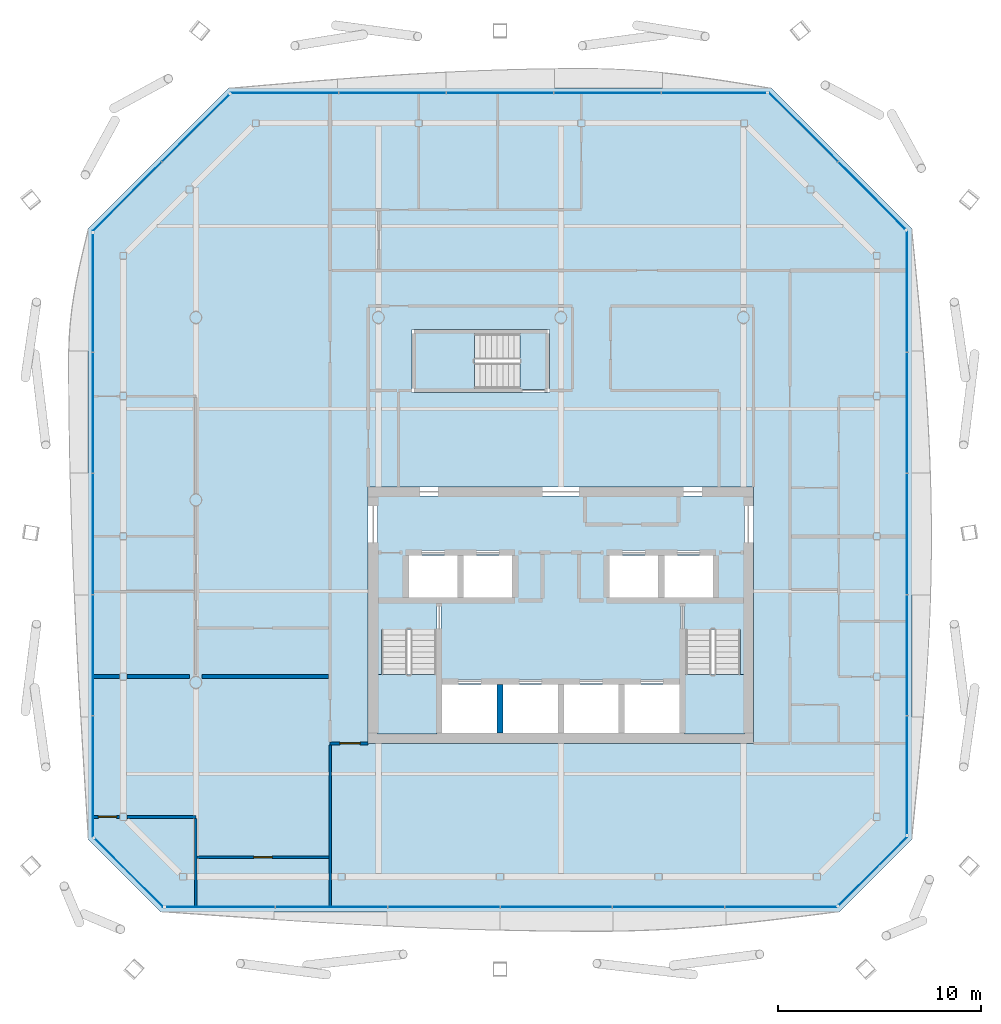
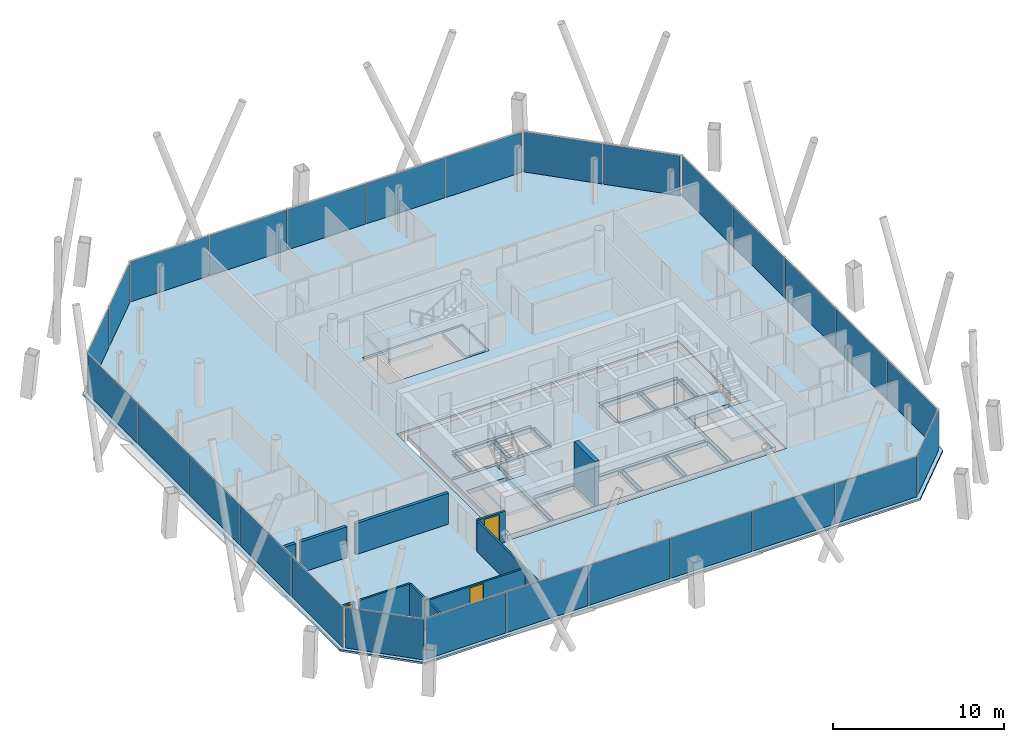
# One storey, part 12 of 19: 27 plates, 10 walls, 6 slabs, 3 doors, 3 openings, 11 elements without a shape of their own.
"""IFC4 building model written with IfcOpenShell, lengths in metres."""

from ifc_helpers import new_model, si_unit, direction, frame, frame_2d, origin, origin_2d, place, context, subcontext, project, spatial, polyline, rectangle, outline, extrude, material, layer, layer_set, type_object, element, fill, aggregate, save


model = new_model("IFC4")

# Units and contexts
model_context = context("Model", 3, precision=1e-05, world=origin(), true_north=direction((0.0, 1.0)))
body_context = subcontext(model_context, "Body", "Model", "MODEL_VIEW")
ifc_project = project(units=[si_unit("LENGTHUNIT", "METRE"), si_unit("AREAUNIT", "SQUARE_METRE"), si_unit("VOLUMEUNIT", "CUBIC_METRE"), si_unit("PLANEANGLEUNIT", "RADIAN"), si_unit("MASSUNIT", "GRAM", prefix="KILO")], contexts=[model_context])

# Site, building, storey
site_placement = place(None, origin())
site = spatial("IfcSite", under=ifc_project, at=site_placement, CompositionType="ELEMENT")
building_placement = place(site_placement, origin())
building = spatial("IfcBuilding", under=site, at=building_placement, Name="Tskaro Facet Tower", CompositionType="ELEMENT")
storey_placement = place(building_placement, frame((0.0, 0.0, 191.10009765625)))
storey = spatial("IfcBuildingStorey", under=building, at=storey_placement, Name="L48", CompositionType="ELEMENT", Elevation=191.10009765625)

# Slab
ifc_material_1 = material(Name="Concrete C30/37", Category="concrete")
ifc_layer_1 = layer(ifc_material_1, 0.139892578125, Name="Concrete C30/37")
ifc_layer_set_1 = layer_set([ifc_layer_1], Name="Concrete C30/37")
slab_type_1 = type_object("IfcSlabType", Name="Composite deck floor slab", PredefinedType="FLOOR", material=ifc_layer_set_1)
slab_1_placement = place(storey_placement, frame((0.0, 0.0, -0.14013671875)))
element("IfcSlab", 1, at=slab_1_placement, inside=storey, type_object=slab_type_1, Name="Floor slab FS3 L48", PredefinedType="FLOOR", context=body_context, shape_type="SweptSolid", body=[
    extrude(outline(polyline([(-19.721923828125, -20.330078125), (13.721923828125, -20.330078125), (17.330078125, -16.721923828125), (17.330078125, 13.3740234375), (10.3740234375, 20.330078125), (-16.3740234375, 20.330078125), (-23.330078125, 13.3740234375), (-23.330078125, -16.721923828125), (-19.721923828125, -20.330078125)]), holes=[polyline([(-9.5, -12.0), (9.5, -12.0), (9.5, 0.64990234375), (-9.5, 0.64990234375), (-9.5, -12.0)]), polyline([(-7.35009765625, 5.300048828125), (-0.550048828125, 5.300048828125), (-0.550048828125, 8.39990234375), (-7.35009765625, 8.39990234375), (-7.35009765625, 5.300048828125)])]), origin(), (0.0, 0.0, 1.0), 0.14013671875),
])

# Curtain wall, plates
ifc_material_2 = material(Name="Bronze anodised aluminium 6063-T6", Category="aluminium")
curtain_wall_type = type_object("IfcCurtainWallType", Name="Bronze residence curtain wall (FW3)", PredefinedType="NOTDEFINED", material=ifc_material_2)
curtain_wall_1_placement = place(storey_placement, origin())
curtain_wall_1 = element("IfcCurtainWall", 2, at=curtain_wall_1_placement, inside=storey, type_object=curtain_wall_type, Name="FW3 south facet L48", PredefinedType="NOTDEFINED")
ifc_material_3 = material(Name="Bronze low-iron glass", Category="glass")
ifc_layer_2 = layer(ifc_material_3, 0.028076171875, Name="Bronze low-iron glass")
ifc_layer_set_2 = layer_set([ifc_layer_2], Name="Bronze low-iron glass")
plate_type = type_object("IfcPlateType", Name="FW3 bronze-tinted unit glazing 28", PredefinedType="CURTAIN_PANEL", material=ifc_layer_set_2)
plate_1_placement = place(storey_placement, frame((-16.790771484375, -20.080078125, 0.0), z_axis=(0.0, 0.0, 1.0), x_axis=(1.0, 0.0, 0.0)))
plate_1 = element("IfcPlate", 3, at=plate_1_placement, type_object=plate_type, Name="FW3 south glazing 1.1", PredefinedType="CURTAIN_PANEL", context=body_context, shape_type="SweptSolid", body=[
    extrude(rectangle(XDim=5.374267578125, YDim=0.028076171875, at=origin_2d()), origin(), (0.0, 0.0, 1.0), 2.860107421875),
])
plate_2_placement = place(storey_placement, frame((-11.30908203125, -20.080078125, 0.0), z_axis=(0.0, 0.0, 1.0), x_axis=(1.0, 0.0, 0.0)))
plate_2 = element("IfcPlate", 4, at=plate_2_placement, type_object=plate_type, Name="FW3 south glazing 2.1", PredefinedType="CURTAIN_PANEL", context=body_context, shape_type="SweptSolid", body=[
    extrude(rectangle(XDim=5.4892578125, YDim=0.028076171875, at=origin_2d()), origin(), (0.0, 0.0, 1.0), 2.860107421875),
])
plate_3_placement = place(storey_placement, frame((-5.769775390625, -20.080078125, 0.0), z_axis=(0.0, 0.0, 1.0), x_axis=(1.0, 0.0, 0.0)))
plate_3 = element("IfcPlate", 5, at=plate_3_placement, type_object=plate_type, Name="FW3 south glazing 3.1", PredefinedType="CURTAIN_PANEL", context=body_context, shape_type="SweptSolid", body=[
    extrude(rectangle(XDim=5.4892578125, YDim=0.028076171875, at=origin_2d()), origin(), (0.0, 0.0, 1.0), 2.860107421875),
])
plate_4_placement = place(storey_placement, frame((-0.230224609375, -20.080078125, 0.0), z_axis=(0.0, 0.0, 1.0), x_axis=(1.0, 0.0, 0.0)))
plate_4 = element("IfcPlate", 6, at=plate_4_placement, type_object=plate_type, Name="FW3 south glazing 4.1", PredefinedType="CURTAIN_PANEL", context=body_context, shape_type="SweptSolid", body=[
    extrude(rectangle(XDim=5.4892578125, YDim=0.028076171875, at=origin_2d()), origin(), (0.0, 0.0, 1.0), 2.860107421875),
])
plate_5_placement = place(storey_placement, frame((5.30908203125, -20.080078125, 0.0), z_axis=(0.0, 0.0, 1.0), x_axis=(1.0, 0.0, 0.0)))
plate_5 = element("IfcPlate", 7, at=plate_5_placement, type_object=plate_type, Name="FW3 south glazing 5.1", PredefinedType="CURTAIN_PANEL", context=body_context, shape_type="SweptSolid", body=[
    extrude(rectangle(XDim=5.4892578125, YDim=0.028076171875, at=origin_2d()), origin(), (0.0, 0.0, 1.0), 2.860107421875),
])
plate_6_placement = place(storey_placement, frame((10.86083984375, -20.080078125, 0.0), z_axis=(0.0, 0.0, 1.0), x_axis=(1.0, 0.0, 0.0)))
plate_6 = element("IfcPlate", 8, at=plate_6_placement, type_object=plate_type, Name="FW3 south glazing 6.1", PredefinedType="CURTAIN_PANEL", context=body_context, shape_type="SweptSolid", body=[
    extrude(rectangle(XDim=5.514404296875, YDim=0.028076171875, at=origin_2d()), origin(), (0.0, 0.0, 1.0), 2.860107421875),
])
aggregate(curtain_wall_1, [plate_1, plate_2, plate_3, plate_4, plate_5, plate_6])

# Curtain wall, plate
curtain_wall_2_placement = place(storey_placement, origin())
curtain_wall_2 = element("IfcCurtainWall", 9, at=curtain_wall_2_placement, inside=storey, type_object=curtain_wall_type, Name="FW3 south-east facet L48", PredefinedType="NOTDEFINED")
plate_7_placement = place(storey_placement, frame((15.3984375, -18.299560546875, 0.0), z_axis=(0.0, 0.0, 1.0), x_axis=(0.707106781187, 0.707106781187, 0.0)))
plate_7 = element("IfcPlate", 10, at=plate_7_placement, type_object=plate_type, Name="FW3 south-east glazing 1.1", PredefinedType="CURTAIN_PANEL", context=body_context, shape_type="SweptSolid", body=[
    extrude(rectangle(XDim=4.756103515625, YDim=0.028076171875, at=origin_2d()), origin(), (0.0, 0.0, 1.0), 2.860107421875),
])
aggregate(curtain_wall_2, [plate_7])

# Curtain wall, plates
curtain_wall_3_placement = place(storey_placement, origin())
curtain_wall_3 = element("IfcCurtainWall", 11, at=curtain_wall_3_placement, inside=storey, type_object=curtain_wall_type, Name="FW3 east facet L48", PredefinedType="NOTDEFINED")
plate_8_placement = place(storey_placement, frame((17.080078125, -13.57177734375, 0.0), z_axis=(0.0, 0.0, 1.0), x_axis=(0.0, 1.0, 0.0)))
plate_8 = element("IfcPlate", 12, at=plate_8_placement, type_object=plate_type, Name="FW3 east glazing 1.1", PredefinedType="CURTAIN_PANEL", context=body_context, shape_type="SweptSolid", body=[
    extrude(rectangle(XDim=5.8125, YDim=0.028076171875, at=origin_2d()), origin(), (0.0, 0.0, 1.0), 2.860107421875),
])
plate_9_placement = place(storey_placement, frame((17.080078125, -7.651611328125, 0.0), z_axis=(0.0, 0.0, 1.0), x_axis=(0.0, 1.0, 0.0)))
plate_9 = element("IfcPlate", 13, at=plate_9_placement, type_object=plate_type, Name="FW3 east glazing 2.1", PredefinedType="CURTAIN_PANEL", context=body_context, shape_type="SweptSolid", body=[
    extrude(rectangle(XDim=5.927490234375, YDim=0.028076171875, at=origin_2d()), origin(), (0.0, 0.0, 1.0), 2.860107421875),
])
plate_10_placement = place(storey_placement, frame((17.080078125, -1.674072265625, 0.0), z_axis=(0.0, 0.0, 1.0), x_axis=(0.0, 1.0, 0.0)))
plate_10 = element("IfcPlate", 14, at=plate_10_placement, type_object=plate_type, Name="FW3 east glazing 3.1", PredefinedType="CURTAIN_PANEL", context=body_context, shape_type="SweptSolid", body=[
    extrude(rectangle(XDim=5.927490234375, YDim=0.028076171875, at=origin_2d()), origin(), (0.0, 0.0, 1.0), 2.860107421875),
])
plate_11_placement = place(storey_placement, frame((17.080078125, 4.3037109375, 0.0), z_axis=(0.0, 0.0, 1.0), x_axis=(0.0, 1.0, 0.0)))
plate_11 = element("IfcPlate", 15, at=plate_11_placement, type_object=plate_type, Name="FW3 east glazing 4.1", PredefinedType="CURTAIN_PANEL", context=body_context, shape_type="SweptSolid", body=[
    extrude(rectangle(XDim=5.927490234375, YDim=0.028076171875, at=origin_2d()), origin(), (0.0, 0.0, 1.0), 2.860107421875),
])
plate_12_placement = place(storey_placement, frame((17.080078125, 10.293701171875, 0.0), z_axis=(0.0, 0.0, 1.0), x_axis=(0.0, 1.0, 0.0)))
plate_12 = element("IfcPlate", 16, at=plate_12_placement, type_object=plate_type, Name="FW3 east glazing 5.1", PredefinedType="CURTAIN_PANEL", context=body_context, shape_type="SweptSolid", body=[
    extrude(rectangle(XDim=5.95263671875, YDim=0.028076171875, at=origin_2d()), origin(), (0.0, 0.0, 1.0), 2.860107421875),
])
aggregate(curtain_wall_3, [plate_8, plate_9, plate_10, plate_11, plate_12])

curtain_wall_4_placement = place(storey_placement, origin())
curtain_wall_4 = element("IfcCurtainWall", 17, at=curtain_wall_4_placement, inside=storey, type_object=curtain_wall_type, Name="FW3 north-east facet L48", PredefinedType="NOTDEFINED")
plate_13_placement = place(storey_placement, frame((15.3369140625, 15.01318359375, 0.0), z_axis=(0.0, 0.0, 1.0), x_axis=(-0.707106781187, 0.707106781187, 0.0)))
plate_13 = element("IfcPlate", 18, at=plate_13_placement, type_object=plate_type, Name="FW3 north-east glazing 1.1", PredefinedType="CURTAIN_PANEL", context=body_context, shape_type="SweptSolid", body=[
    extrude(rectangle(XDim=4.650390625, YDim=0.028076171875, at=origin_2d()), origin(), (0.0, 0.0, 1.0), 2.860107421875),
])
plate_14_placement = place(storey_placement, frame((11.963623046875, 18.38623046875, 0.0), z_axis=(0.0, 0.0, 1.0), x_axis=(-0.707106781187, 0.707106781187, 0.0)))
plate_14 = element("IfcPlate", 19, at=plate_14_placement, type_object=plate_type, Name="FW3 north-east glazing 2.1", PredefinedType="CURTAIN_PANEL", context=body_context, shape_type="SweptSolid", body=[
    extrude(rectangle(XDim=4.790283203125, YDim=0.028076171875, at=origin_2d()), origin(), (0.0, 0.0, 1.0), 2.860107421875),
])
aggregate(curtain_wall_4, [plate_13, plate_14])

curtain_wall_5_placement = place(storey_placement, origin())
curtain_wall_5 = element("IfcCurtainWall", 20, at=curtain_wall_5_placement, inside=storey, type_object=curtain_wall_type, Name="FW3 north facet L48", PredefinedType="NOTDEFINED")
plate_15_placement = place(storey_placement, frame((7.55859375, 20.080078125, 0.0), z_axis=(0.0, 0.0, 1.0), x_axis=(-1.0, 0.0, 0.0)))
plate_15 = element("IfcPlate", 21, at=plate_15_placement, type_object=plate_type, Name="FW3 north glazing 1.1", PredefinedType="CURTAIN_PANEL", context=body_context, shape_type="SweptSolid", body=[
    extrude(rectangle(XDim=5.14306640625, YDim=0.028076171875, at=origin_2d()), origin(), (0.0, 0.0, 1.0), 2.860107421875),
])
plate_16_placement = place(storey_placement, frame((2.30810546875, 20.080078125, 0.0), z_axis=(0.0, 0.0, 1.0), x_axis=(-1.0, 0.0, 0.0)))
plate_16 = element("IfcPlate", 22, at=plate_16_placement, type_object=plate_type, Name="FW3 north glazing 2.1", PredefinedType="CURTAIN_PANEL", context=body_context, shape_type="SweptSolid", body=[
    extrude(rectangle(XDim=5.258056640625, YDim=0.028076171875, at=origin_2d()), origin(), (0.0, 0.0, 1.0), 2.860107421875),
])
plate_17_placement = place(storey_placement, frame((-3.0, 20.080078125, 0.0), z_axis=(0.0, 0.0, 1.0), x_axis=(-1.0, 0.0, 0.0)))
plate_17 = element("IfcPlate", 23, at=plate_17_placement, type_object=plate_type, Name="FW3 north glazing 3.1", PredefinedType="CURTAIN_PANEL", context=body_context, shape_type="SweptSolid", body=[
    extrude(rectangle(XDim=5.258056640625, YDim=0.028076171875, at=origin_2d()), origin(), (0.0, 0.0, 1.0), 2.860107421875),
])
plate_18_placement = place(storey_placement, frame((-8.30810546875, 20.080078125, 0.0), z_axis=(0.0, 0.0, 1.0), x_axis=(-1.0, 0.0, 0.0)))
plate_18 = element("IfcPlate", 24, at=plate_18_placement, type_object=plate_type, Name="FW3 north glazing 4.1", PredefinedType="CURTAIN_PANEL", context=body_context, shape_type="SweptSolid", body=[
    extrude(rectangle(XDim=5.258056640625, YDim=0.028076171875, at=origin_2d()), origin(), (0.0, 0.0, 1.0), 2.860107421875),
])
plate_19_placement = place(storey_placement, frame((-13.62841796875, 20.080078125, 0.0), z_axis=(0.0, 0.0, 1.0), x_axis=(-1.0, 0.0, 0.0)))
plate_19 = element("IfcPlate", 25, at=plate_19_placement, type_object=plate_type, Name="FW3 north glazing 5.1", PredefinedType="CURTAIN_PANEL", context=body_context, shape_type="SweptSolid", body=[
    extrude(rectangle(XDim=5.282958984375, YDim=0.028076171875, at=origin_2d()), origin(), (0.0, 0.0, 1.0), 2.860107421875),
])
aggregate(curtain_wall_5, [plate_15, plate_16, plate_17, plate_18, plate_19])

curtain_wall_6_placement = place(storey_placement, origin())
curtain_wall_6 = element("IfcCurtainWall", 26, at=curtain_wall_6_placement, inside=storey, type_object=curtain_wall_type, Name="FW3 north-west facet L48", PredefinedType="NOTDEFINED")
plate_20_placement = place(storey_placement, frame((-18.01318359375, 18.3369140625, 0.0), z_axis=(0.0, 0.0, 1.0), x_axis=(-0.707106781187, -0.707106781187, 0.0)))
plate_20 = element("IfcPlate", 27, at=plate_20_placement, type_object=plate_type, Name="FW3 north-west glazing 1.1", PredefinedType="CURTAIN_PANEL", context=body_context, shape_type="SweptSolid", body=[
    extrude(rectangle(XDim=4.650390625, YDim=0.028076171875, at=origin_2d()), origin(), (0.0, 0.0, 1.0), 2.860107421875),
])
plate_21_placement = place(storey_placement, frame((-21.38623046875, 14.963623046875, 0.0), z_axis=(0.0, 0.0, 1.0), x_axis=(-0.707106781187, -0.707106781187, 0.0)))
plate_21 = element("IfcPlate", 28, at=plate_21_placement, type_object=plate_type, Name="FW3 north-west glazing 2.1", PredefinedType="CURTAIN_PANEL", context=body_context, shape_type="SweptSolid", body=[
    extrude(rectangle(XDim=4.790283203125, YDim=0.028076171875, at=origin_2d()), origin(), (0.0, 0.0, 1.0), 2.860107421875),
])
aggregate(curtain_wall_6, [plate_20, plate_21])

curtain_wall_7_placement = place(storey_placement, origin())
curtain_wall_7 = element("IfcCurtainWall", 29, at=curtain_wall_7_placement, inside=storey, type_object=curtain_wall_type, Name="FW3 west facet L48", PredefinedType="NOTDEFINED")
plate_22_placement = place(storey_placement, frame((-23.080078125, 10.2236328125, 0.0), z_axis=(0.0, 0.0, 1.0), x_axis=(0.0, -1.0, 0.0)))
plate_22 = element("IfcPlate", 30, at=plate_22_placement, type_object=plate_type, Name="FW3 west glazing 1.1", PredefinedType="CURTAIN_PANEL", context=body_context, shape_type="SweptSolid", body=[
    extrude(rectangle(XDim=5.8125, YDim=0.028076171875, at=origin_2d()), origin(), (0.0, 0.0, 1.0), 2.860107421875),
])
plate_23_placement = place(storey_placement, frame((-23.080078125, 4.3037109375, 0.0), z_axis=(0.0, 0.0, 1.0), x_axis=(0.0, -1.0, 0.0)))
plate_23 = element("IfcPlate", 31, at=plate_23_placement, type_object=plate_type, Name="FW3 west glazing 2.1", PredefinedType="CURTAIN_PANEL", context=body_context, shape_type="SweptSolid", body=[
    extrude(rectangle(XDim=5.927490234375, YDim=0.028076171875, at=origin_2d()), origin(), (0.0, 0.0, 1.0), 2.860107421875),
])
plate_24_placement = place(storey_placement, frame((-23.080078125, -1.674072265625, 0.0), z_axis=(0.0, 0.0, 1.0), x_axis=(0.0, -1.0, 0.0)))
plate_24 = element("IfcPlate", 32, at=plate_24_placement, type_object=plate_type, Name="FW3 west glazing 3.1", PredefinedType="CURTAIN_PANEL", context=body_context, shape_type="SweptSolid", body=[
    extrude(rectangle(XDim=5.927490234375, YDim=0.028076171875, at=origin_2d()), origin(), (0.0, 0.0, 1.0), 2.860107421875),
])
plate_25_placement = place(storey_placement, frame((-23.080078125, -7.651611328125, 0.0), z_axis=(0.0, 0.0, 1.0), x_axis=(0.0, -1.0, 0.0)))
plate_25 = element("IfcPlate", 33, at=plate_25_placement, type_object=plate_type, Name="FW3 west glazing 4.1", PredefinedType="CURTAIN_PANEL", context=body_context, shape_type="SweptSolid", body=[
    extrude(rectangle(XDim=5.927490234375, YDim=0.028076171875, at=origin_2d()), origin(), (0.0, 0.0, 1.0), 2.860107421875),
])
plate_26_placement = place(storey_placement, frame((-23.080078125, -13.6416015625, 0.0), z_axis=(0.0, 0.0, 1.0), x_axis=(0.0, -1.0, 0.0)))
plate_26 = element("IfcPlate", 34, at=plate_26_placement, type_object=plate_type, Name="FW3 west glazing 5.1", PredefinedType="CURTAIN_PANEL", context=body_context, shape_type="SweptSolid", body=[
    extrude(rectangle(XDim=5.95263671875, YDim=0.028076171875, at=origin_2d()), origin(), (0.0, 0.0, 1.0), 2.860107421875),
])
aggregate(curtain_wall_7, [plate_22, plate_23, plate_24, plate_25, plate_26])

# Curtain wall, plate
curtain_wall_8_placement = place(storey_placement, origin())
curtain_wall_8 = element("IfcCurtainWall", 35, at=curtain_wall_8_placement, inside=storey, type_object=curtain_wall_type, Name="FW3 south-west facet L48", PredefinedType="NOTDEFINED")
plate_27_placement = place(storey_placement, frame((-21.299560546875, -18.3984375, 0.0), z_axis=(0.0, 0.0, 1.0), x_axis=(0.707106781187, -0.707106781187, 0.0)))
plate_27 = element("IfcPlate", 36, at=plate_27_placement, type_object=plate_type, Name="FW3 south-west glazing 1.1", PredefinedType="CURTAIN_PANEL", context=body_context, shape_type="SweptSolid", body=[
    extrude(rectangle(XDim=4.756103515625, YDim=0.028076171875, at=origin_2d()), origin(), (0.0, 0.0, 1.0), 2.860107421875),
])
aggregate(curtain_wall_8, [plate_27])

# Stair, slab
ifc_material_4 = material(Name="Concrete C40/50", Category="concrete")
stair_type = type_object("IfcStairType", Name="ST-TWR", PredefinedType="HALF_TURN_STAIR", material=ifc_material_4)
stair_1_placement = place(storey_placement, origin())
stair_1 = element("IfcStair", 37, at=stair_1_placement, inside=storey, type_object=stair_type, Name="L48 Exit stair 1", PredefinedType="HALF_TURN_STAIR")
ifc_layer_3 = layer(ifc_material_4, 0.199951171875, Name="Concrete C40/50")
ifc_layer_set_3 = layer_set([ifc_layer_3], Name="Concrete C40/50")
slab_type_2 = type_object("IfcSlabType", Name="SL-LANDING", PredefinedType="LANDING", material=ifc_layer_set_3)
slab_2_placement = place(storey_placement, frame((0.0, 0.0, 1.375)))
slab_2 = element("IfcSlab", 38, at=slab_2_placement, type_object=slab_type_2, Name="ST-1 landing 1", PredefinedType="LANDING", context=body_context, shape_type="SweptSolid", body=[
    extrude(outline(polyline([(-9.050048828125, -11.550048828125), (-6.10009765625, -11.550048828125), (-6.10009765625, -8.614990234375), (-9.050048828125, -8.614990234375), (-9.050048828125, -11.550048828125)])), origin(), (0.0, 0.0, 1.0), 0.199951171875),
])
aggregate(stair_1, [slab_2])

stair_2_placement = place(storey_placement, origin())
stair_2 = element("IfcStair", 39, at=stair_2_placement, inside=storey, type_object=stair_type, Name="L48 Exit stair 2", PredefinedType="HALF_TURN_STAIR")
slab_3_placement = place(storey_placement, frame((0.0, 0.0, 1.375)))
slab_3 = element("IfcSlab", 40, at=slab_3_placement, type_object=slab_type_2, Name="ST-2 landing 1", PredefinedType="LANDING", context=body_context, shape_type="SweptSolid", body=[
    extrude(outline(polyline([(6.10009765625, -11.550048828125), (9.050048828125, -11.550048828125), (9.050048828125, -8.614990234375), (6.10009765625, -8.614990234375), (6.10009765625, -11.550048828125)])), origin(), (0.0, 0.0, 1.0), 0.199951171875),
])
aggregate(stair_2, [slab_3])

stair_3_placement = place(storey_placement, origin())
stair_3 = element("IfcStair", 41, at=stair_3_placement, inside=storey, type_object=stair_type, Name="L48 Exit stair 3", PredefinedType="HALF_TURN_STAIR")
slab_4_placement = place(storey_placement, frame((0.0, 0.0, 1.375)))
slab_4 = element("IfcSlab", 42, at=slab_4_placement, type_object=slab_type_2, Name="ST-3 landing 1", PredefinedType="LANDING", context=body_context, shape_type="SweptSolid", body=[
    extrude(outline(polyline([(-7.199951171875, 5.449951171875), (-4.264892578125, 5.449951171875), (-4.264892578125, 8.25), (-7.199951171875, 8.25), (-7.199951171875, 5.449951171875)])), origin(), (0.0, 0.0, 1.0), 0.199951171875),
])
aggregate(stair_3, [slab_4])

# Slabs
ifc_material_5 = material(Name="Concrete C60/75", Category="concrete")
ifc_layer_4 = layer(ifc_material_5, 0.300048828125, Name="Concrete C60/75")
ifc_layer_set_4 = layer_set([ifc_layer_4], Name="Concrete C60/75")
slab_type_3 = type_object("IfcSlabType", Name="SLAB-CORE", PredefinedType="FLOOR", material=ifc_layer_set_4)
slab_5_placement = place(storey_placement, frame((0.0, 0.0, -0.300048828125)))
element("IfcSlab", 43, at=slab_5_placement, inside=storey, type_object=slab_type_3, Name="Core floor slab 1", PredefinedType="FLOOR", context=body_context, shape_type="SweptSolid", body=[
    extrude(outline(polyline([(-9.050048828125, 0.199951171875), (9.050048828125, 0.199951171875), (9.050048828125, 0.10009765625), (9.050048828125, -11.449951171875), (9.050048828125, -11.550048828125), (-9.050048828125, -11.550048828125), (-9.050048828125, -11.449951171875), (-9.050048828125, 0.10009765625), (-9.050048828125, 0.199951171875)]), holes=[polyline([(-5.85009765625, -9.10009765625), (-5.85009765625, -11.5), (-3.14990234375, -11.5), (-3.14990234375, -9.10009765625), (-5.85009765625, -9.10009765625)]), polyline([(-3.10009765625, -11.449951171875), (-2.89990234375, -11.449951171875), (-2.89990234375, -9.14990234375), (-3.10009765625, -9.14990234375), (-3.10009765625, -11.449951171875)]), polyline([(-2.85009765625, -9.10009765625), (-2.85009765625, -11.5), (-0.14990234375, -11.5), (-0.14990234375, -9.10009765625), (-2.85009765625, -9.10009765625)]), polyline([(-6.10009765625, -11.449951171875), (-5.89990234375, -11.449951171875), (-5.89990234375, -5.14990234375), (-6.10009765625, -5.14990234375), (-6.10009765625, -11.449951171875)]), polyline([(-8.949951171875, -5.050048828125), (-2.300048828125, -5.050048828125), (-2.300048828125, -4.85009765625), (-8.949951171875, -4.85009765625), (-8.949951171875, -5.050048828125)]), polyline([(-7.75, -4.75), (-7.550048828125, -4.75), (-7.550048828125, -2.800048828125), (-7.75, -2.800048828125), (-7.75, -4.75)]), polyline([(-5.10009765625, -2.75), (-7.5, -2.75), (-7.5, -4.800048828125), (-5.10009765625, -4.800048828125), (-5.10009765625, -2.75)]), polyline([(-5.050048828125, -4.75), (-4.85009765625, -4.75), (-4.85009765625, -2.800048828125), (-5.050048828125, -2.800048828125), (-5.050048828125, -4.75)]), polyline([(-2.39990234375, -2.75), (-4.800048828125, -2.75), (-4.800048828125, -4.800048828125), (-2.39990234375, -4.800048828125), (-2.39990234375, -2.75)]), polyline([(-2.35009765625, -4.75), (-2.14990234375, -4.75), (-2.14990234375, -2.800048828125), (-2.35009765625, -2.800048828125), (-2.35009765625, -4.75)]), polyline([(-7.60009765625, -2.699951171875), (-2.300048828125, -2.699951171875), (-2.300048828125, -2.5), (-7.60009765625, -2.5), (-7.60009765625, -2.699951171875)]), polyline([(-0.10009765625, -11.449951171875), (0.10009765625, -11.449951171875), (0.10009765625, -9.14990234375), (-0.10009765625, -9.14990234375), (-0.10009765625, -11.449951171875)]), polyline([(0.14990234375, -9.10009765625), (0.14990234375, -11.5), (2.85009765625, -11.5), (2.85009765625, -9.10009765625), (0.14990234375, -9.10009765625)]), polyline([(2.89990234375, -11.449951171875), (3.10009765625, -11.449951171875), (3.10009765625, -9.14990234375), (2.89990234375, -9.14990234375), (2.89990234375, -11.449951171875)]), polyline([(3.14990234375, -9.10009765625), (3.14990234375, -11.5), (5.85009765625, -11.5), (5.85009765625, -9.10009765625), (3.14990234375, -9.10009765625)]), polyline([(-5.800048828125, -9.050048828125), (5.800048828125, -9.050048828125), (5.800048828125, -8.85009765625), (-5.800048828125, -8.85009765625), (-5.800048828125, -9.050048828125)]), polyline([(5.89990234375, -11.449951171875), (6.10009765625, -11.449951171875), (6.10009765625, -5.14990234375), (5.89990234375, -5.14990234375), (5.89990234375, -11.449951171875)]), polyline([(2.300048828125, -5.050048828125), (8.949951171875, -5.050048828125), (8.949951171875, -4.85009765625), (2.300048828125, -4.85009765625), (2.300048828125, -5.050048828125)]), polyline([(2.14990234375, -4.75), (2.35009765625, -4.75), (2.35009765625, -2.800048828125), (2.14990234375, -2.800048828125), (2.14990234375, -4.75)]), polyline([(4.800048828125, -2.75), (2.39990234375, -2.75), (2.39990234375, -4.800048828125), (4.800048828125, -4.800048828125), (4.800048828125, -2.75)]), polyline([(4.85009765625, -4.75), (5.050048828125, -4.75), (5.050048828125, -2.800048828125), (4.85009765625, -2.800048828125), (4.85009765625, -4.75)]), polyline([(7.5, -2.75), (5.10009765625, -2.75), (5.10009765625, -4.800048828125), (7.5, -4.800048828125), (7.5, -2.75)]), polyline([(7.550048828125, -4.75), (7.75, -4.75), (7.75, -2.800048828125), (7.550048828125, -2.800048828125), (7.550048828125, -4.75)]), polyline([(2.300048828125, -2.699951171875), (7.60009765625, -2.699951171875), (7.60009765625, -2.5), (2.300048828125, -2.5), (2.300048828125, -2.699951171875)]), polyline([(-8.85009765625, -11.5), (-6.14990234375, -11.5), (-6.14990234375, -6.39501953125), (-8.85009765625, -6.39501953125), (-8.85009765625, -11.5)]), polyline([(6.14990234375, -6.39501953125), (6.14990234375, -11.5), (8.85009765625, -11.5), (8.85009765625, -6.39501953125), (6.14990234375, -6.39501953125)])]), origin(), (0.0, 0.0, 1.0), 0.300048828125),
])
slab_6_placement = place(storey_placement, frame((0.0, 0.0, -0.300048828125)))
element("IfcSlab", 44, at=slab_6_placement, inside=storey, type_object=slab_type_3, Name="Stair 3 floor landing 1", PredefinedType="FLOOR", context=body_context, shape_type="SweptSolid", body=[
    extrude(outline(polyline([(-2.02490234375, 5.449951171875), (-0.699951171875, 5.449951171875), (-0.699951171875, 8.25), (-2.02490234375, 8.25), (-2.02490234375, 5.449951171875)])), origin(), (0.0, 0.0, 1.0), 0.300048828125),
])

# Wall
ifc_layer_5 = layer(ifc_material_5, 0.300048828125, Name="Concrete C60/75")
ifc_layer_set_5 = layer_set([ifc_layer_5], Name="Concrete C60/75")
wall_type_1 = type_object("IfcWallType", Name="CORE-SHAFT", PredefinedType="SHEAR", material=ifc_layer_set_5)
wall_1_placement = place(storey_placement, frame((-3.0, -11.5, 0.0), z_axis=(0.0, 0.0, 1.0), x_axis=(0.0, 1.0, 0.0)))
element("IfcWall", 45, at=wall_1_placement, inside=storey, type_object=wall_type_1, Name="Shaft wall W064", PredefinedType="SHEAR", context=body_context, shape_type="SweptSolid", body=[
    extrude(rectangle(XDim=2.39990234375, YDim=0.300048828125, at=frame_2d((1.199951171875, 0.0))), origin(), (0.0, 0.0, 1.0), 3.14990234375),
])

# Wall, opening, door
ifc_material_6 = material(Name="Gypsum board on steel studs", Category="steel")
ifc_layer_6 = layer(ifc_material_6, 0.125, Name="Gypsum board on steel studs")
ifc_layer_set_6 = layer_set([ifc_layer_6], Name="Gypsum board on steel studs")
wall_type_2 = type_object("IfcWallType", Name="PART", PredefinedType="PARTITIONING", material=ifc_layer_set_6)
wall_2_placement = place(storey_placement, frame((-11.4375, -17.6298828125, 0.0), z_axis=(0.0, 0.0, 1.0), x_axis=(-1.0, 0.0, 0.0)))
wall_2 = element("IfcWall", 46, at=wall_2_placement, inside=storey, type_object=wall_type_2, Name="Partition W001", PredefinedType="PARTITIONING", context=body_context, shape_type="SweptSolid", body=[
    extrude(rectangle(XDim=6.5, YDim=0.125, at=frame_2d((3.25, 0.0))), origin(), (0.0, 0.0, 1.0), 2.2099609375),
])
opening_1_placement = place(wall_2_placement, frame((2.800048828125, 0.0, 0.0)))
opening_1 = element("IfcOpeningElement", 47, at=opening_1_placement, cuts=wall_2, Name="Opening T14-D01", PredefinedType="OPENING", context=body_context, shape_type="SweptSolid", body=[
    extrude(rectangle(XDim=0.89990234375, YDim=2.10009765625, at=frame_2d((0.449951171875, 1.050048828125))), frame((0.0, 0.072509765625, 0.0), z_axis=(0.0, -1.0, 0.0), x_axis=(1.0, 0.0, 0.0)), (0.0, 0.0, 1.0), 0.14501953125),
])
ifc_material_7 = material(Name="Timber", Category="wood")
door_type_1 = type_object("IfcDoorType", Name="D-ROOM", OperationType="NOTDEFINED", PredefinedType="DOOR", material=ifc_material_7)
door_1_placement = place(opening_1_placement, origin())
door_1 = element("IfcDoor", 48, at=door_1_placement, inside=storey, type_object=door_type_1, Name="Door T14-D01", OperationType="SINGLE_SWING_RIGHT", OverallHeight=2.10009765625, OverallWidth=0.89990234375, PredefinedType="DOOR", context=body_context, shape_type="SweptSolid", body=[
    extrude(rectangle(XDim=0.89990234375, YDim=2.10009765625, at=frame_2d((0.449951171875, 1.050048828125))), frame((0.0, 0.02490234375, 0.0), z_axis=(0.0, -1.0, 0.0), x_axis=(1.0, 0.0, 0.0)), (0.0, 0.0, 1.0), 0.050048828125),
])
fill(opening_1, door_1)

wall_3_placement = place(storey_placement, frame((-21.758056640625, -15.635009765625, 0.0), z_axis=(0.0, 0.0, 1.0), x_axis=(-1.0, 0.0, 0.0)))
wall_3 = element("IfcWall", 49, at=wall_3_placement, inside=storey, type_object=wall_type_2, Name="Partition W002", PredefinedType="PARTITIONING", context=body_context, shape_type="SweptSolid", body=[
    extrude(rectangle(XDim=1.27197265625, YDim=0.125, at=frame_2d((0.635986328125, 0.0))), origin(), (0.0, 0.0, 1.0), 2.2099609375),
])
opening_2_placement = place(wall_3_placement, frame((0.14990234375, 0.0, 0.0)))
opening_2 = element("IfcOpeningElement", 50, at=opening_2_placement, cuts=wall_3, Name="Opening T14-D02", PredefinedType="OPENING", context=body_context, shape_type="SweptSolid", body=[
    extrude(rectangle(XDim=0.89990234375, YDim=2.10009765625, at=frame_2d((0.449951171875, 1.050048828125))), frame((0.0, 0.072509765625, 0.0), z_axis=(0.0, -1.0, 0.0), x_axis=(1.0, 0.0, 0.0)), (0.0, 0.0, 1.0), 0.14501953125),
])
door_2_placement = place(opening_2_placement, origin())
door_2 = element("IfcDoor", 51, at=door_2_placement, inside=storey, type_object=door_type_1, Name="Door T14-D02", OperationType="SINGLE_SWING_RIGHT", OverallHeight=2.10009765625, OverallWidth=0.89990234375, PredefinedType="DOOR", context=body_context, shape_type="SweptSolid", body=[
    extrude(rectangle(XDim=0.89990234375, YDim=2.10009765625, at=frame_2d((0.449951171875, 1.050048828125))), frame((0.0, 0.02490234375, 0.0), z_axis=(0.0, -1.0, 0.0), x_axis=(1.0, 0.0, 0.0)), (0.0, 0.0, 1.0), 0.050048828125),
])
fill(opening_2, door_2)

# Walls
wall_4_placement = place(storey_placement, frame((-21.407958984375, -15.635009765625, 0.0), z_axis=(0.0, 0.0, 1.0), x_axis=(1.0, 0.0, 0.0)))
element("IfcWall", 52, at=wall_4_placement, inside=storey, type_object=wall_type_2, Name="Partition W003", PredefinedType="PARTITIONING", context=body_context, shape_type="SweptSolid", body=[
    extrude(rectangle(XDim=3.407958984375, YDim=0.125, at=frame_2d((1.7041015625, 0.0))), origin(), (0.0, 0.0, 1.0), 2.2099609375),
])
wall_5_placement = place(storey_placement, frame((-18.0, -20.030029296875, 0.0), z_axis=(0.0, 0.0, 1.0), x_axis=(0.0, 1.0, 0.0)))
element("IfcWall", 53, at=wall_5_placement, inside=storey, type_object=wall_type_2, Name="Partition W048", PredefinedType="PARTITIONING", context=body_context, shape_type="SweptSolid", body=[
    extrude(rectangle(XDim=4.33251953125, YDim=0.125, at=frame_2d((2.166259765625, 0.0))), origin(), (0.0, 0.0, 1.0), 2.2099609375),
])
wall_6_placement = place(storey_placement, frame((-11.375, -20.030029296875, 0.0), z_axis=(0.0, 0.0, 1.0), x_axis=(0.0, 1.0, 0.0)))
element("IfcWall", 54, at=wall_6_placement, inside=storey, type_object=wall_type_2, Name="Partition W051", PredefinedType="PARTITIONING", context=body_context, shape_type="SweptSolid", body=[
    extrude(rectangle(XDim=7.955078125, YDim=0.125, at=frame_2d((3.9775390625, 0.0))), origin(), (0.0, 0.0, 1.0), 2.2099609375),
])

# Wall, opening, door
ifc_layer_7 = layer(ifc_material_6, 0.14990234375, Name="Gypsum board on steel studs")
ifc_layer_set_7 = layer_set([ifc_layer_7], Name="Gypsum board on steel studs")
wall_type_3 = type_object("IfcWallType", Name="PART-CORR", PredefinedType="PARTITIONING", material=ifc_layer_set_7)
wall_7_placement = place(storey_placement, frame((-9.5, -12.0, 0.0), z_axis=(0.0, 0.0, 1.0), x_axis=(-1.0, 0.0, 0.0)))
wall_7 = element("IfcWall", 55, at=wall_7_placement, inside=storey, type_object=wall_type_3, Name="Corridor wall W004", PredefinedType="PARTITIONING", context=body_context, shape_type="SweptSolid", body=[
    extrude(rectangle(XDim=1.875, YDim=0.14990234375, at=frame_2d((0.9375, 0.0))), origin(), (0.0, 0.0, 1.0), 2.2099609375),
])
opening_3_placement = place(wall_7_placement, frame((0.39990234375, 0.0, 0.0)))
opening_3 = element("IfcOpeningElement", 56, at=opening_3_placement, cuts=wall_7, Name="Opening T14-D03", PredefinedType="OPENING", context=body_context, shape_type="SweptSolid", body=[
    extrude(rectangle(XDim=1.0, YDim=2.10009765625, at=frame_2d((0.5, 1.050048828125))), frame((0.0, 0.0849609375, 0.0), z_axis=(0.0, -1.0, 0.0), x_axis=(1.0, 0.0, 0.0)), (0.0, 0.0, 1.0), 0.169921875),
])
door_type_2 = type_object("IfcDoorType", Name="D-ROOM-WIDE", OperationType="NOTDEFINED", PredefinedType="DOOR", material=ifc_material_7)
door_3_placement = place(opening_3_placement, origin())
door_3 = element("IfcDoor", 57, at=door_3_placement, inside=storey, type_object=door_type_2, Name="Door T14-D03", OperationType="SINGLE_SWING_RIGHT", OverallHeight=2.10009765625, OverallWidth=1.0, PredefinedType="DOOR", context=body_context, shape_type="SweptSolid", body=[
    extrude(rectangle(XDim=1.0, YDim=2.10009765625, at=frame_2d((0.5, 1.050048828125))), frame((0.0, 0.02490234375, 0.0), z_axis=(0.0, -1.0, 0.0), x_axis=(1.0, 0.0, 0.0)), (0.0, 0.0, 1.0), 0.050048828125),
])
fill(opening_3, door_3)

# Walls
ifc_layer_8 = layer(ifc_material_6, 0.199951171875, Name="Gypsum board on steel studs")
ifc_layer_set_8 = layer_set([ifc_layer_8], Name="Gypsum board on steel studs")
wall_type_4 = type_object("IfcWallType", Name="PART-DEMISING", PredefinedType="PARTITIONING", material=ifc_layer_set_8)
wall_8_placement = place(storey_placement, frame((-23.030029296875, -8.715087890625, 0.0), z_axis=(0.0, 0.0, 1.0), x_axis=(1.0, 0.0, 0.0)))
element("IfcWall", 58, at=wall_8_placement, inside=storey, type_object=wall_type_4, Name="Guest room wall W009", PredefinedType="PARTITIONING", context=body_context, shape_type="SweptSolid", body=[
    extrude(rectangle(XDim=1.27197265625, YDim=0.199951171875, at=frame_2d((0.635986328125, 0.0))), origin(), (0.0, 0.0, 1.0), 2.2099609375),
])
wall_9_placement = place(storey_placement, frame((-21.407958984375, -8.715087890625, 0.0), z_axis=(0.0, 0.0, 1.0), x_axis=(1.0, 0.0, 0.0)))
element("IfcWall", 59, at=wall_9_placement, inside=storey, type_object=wall_type_4, Name="Guest room wall W010", PredefinedType="PARTITIONING", context=body_context, shape_type="SweptSolid", body=[
    extrude(rectangle(XDim=3.10302734375, YDim=0.199951171875, at=frame_2d((1.551513671875, 0.0))), origin(), (0.0, 0.0, 1.0), 2.2099609375),
])
wall_10_placement = place(storey_placement, frame((-17.695068359375, -8.715087890625, 0.0), z_axis=(0.0, 0.0, 1.0), x_axis=(1.0, 0.0, 0.0)))
element("IfcWall", 60, at=wall_10_placement, inside=storey, type_object=wall_type_4, Name="Guest room wall W011", PredefinedType="PARTITIONING", context=body_context, shape_type="SweptSolid", body=[
    extrude(rectangle(XDim=6.2451171875, YDim=0.199951171875, at=frame_2d((3.12255859375, 0.0))), origin(), (0.0, 0.0, 1.0), 2.2099609375),
])

save(model, "model.ifc")
